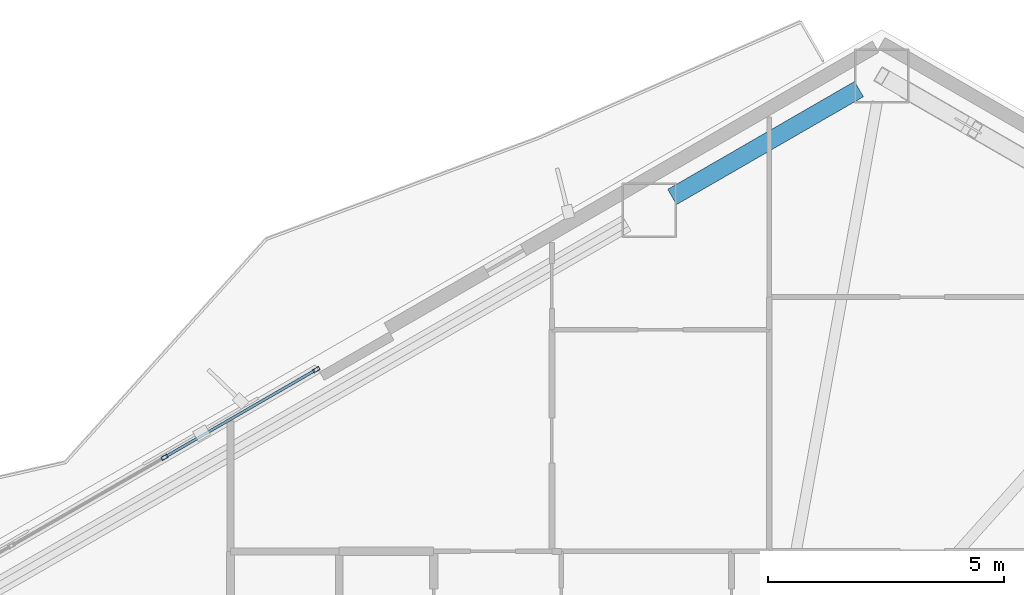
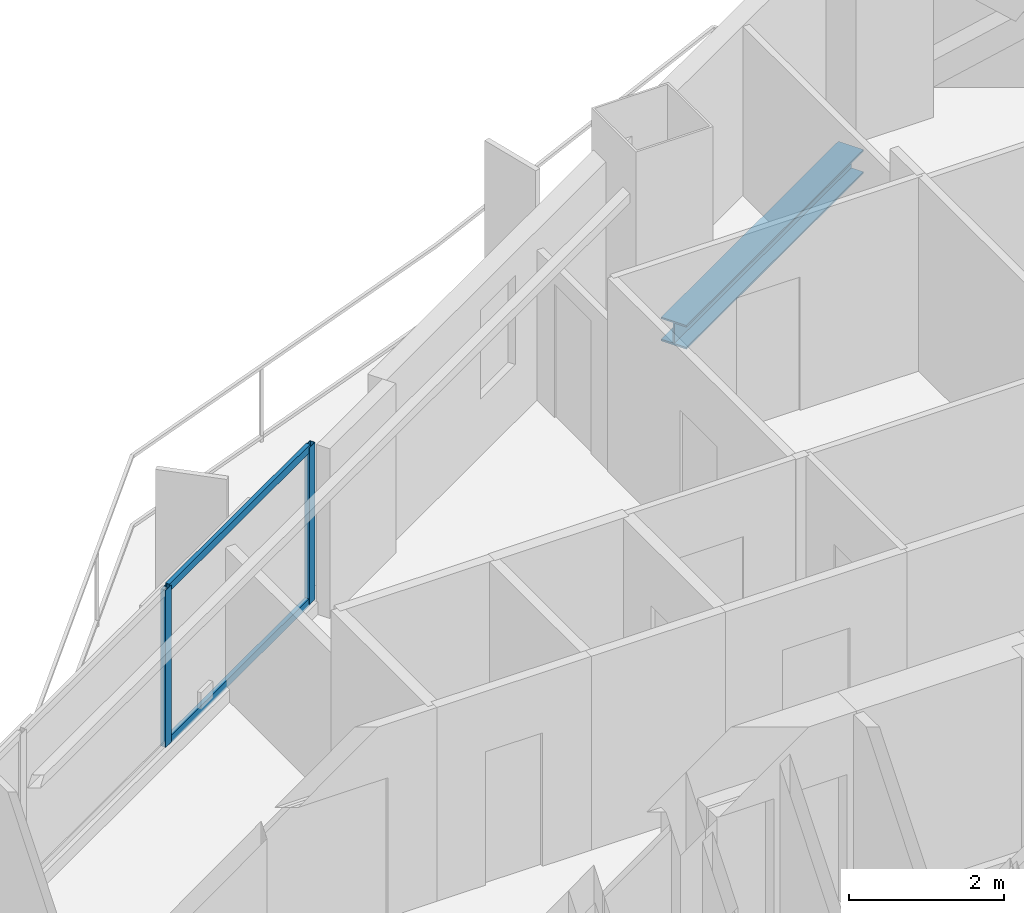
# One storey, part 13 of 23: 4 members, 1 beam, 1 element without a shape of its own.
"""IFC4 building model written with IfcOpenShell, lengths in metres."""

from ifc_helpers import new_model, si_unit, direction, frame, origin, origin_2d, place, context, subcontext, project, spatial, hollow_rectangle, i_section, extrude, material, layer, layer_set, material_profile, profile_set, type_object, element, aggregate, save


model = new_model("IFC4")

# Units and contexts
model_context = context("Model", 3, precision=1e-05, world=origin(), true_north=direction((0.0, 1.0)))
body_context = subcontext(model_context, "Body", "Model", "MODEL_VIEW")
ifc_project = project(units=[si_unit("LENGTHUNIT", "METRE"), si_unit("AREAUNIT", "SQUARE_METRE"), si_unit("VOLUMEUNIT", "CUBIC_METRE"), si_unit("PLANEANGLEUNIT", "RADIAN"), si_unit("MASSUNIT", "GRAM", prefix="KILO")], contexts=[model_context])

# Site, building, storey
site_placement = place(None, origin())
site = spatial("IfcSite", under=ifc_project, at=site_placement, CompositionType="ELEMENT")
building_placement = place(site_placement, origin())
building = spatial("IfcBuilding", under=site, at=building_placement, Name="Mersakhor Tower and Convention Hall", CompositionType="ELEMENT")
storey_placement = place(building_placement, frame((0.0, 0.0, 80.10009765625)))
storey = spatial("IfcBuildingStorey", under=building, at=storey_placement, Name="L21", CompositionType="ELEMENT", Elevation=80.10009765625)

# Beam
ifc_material_1 = material(Name="Steel S355", Category="steel")
ifc_material_profile_1 = material_profile(ifc_material_1, i_section(OverallWidth=0.374755859375, OverallDepth=0.37451171875, WebThickness=0.0166015625, FlangeThickness=0.027099609375, at=origin_2d()), Name="UC 356x368x202")
ifc_profile_set_1 = profile_set([ifc_material_profile_1], Name="Steel S355")
beam_type = type_object("IfcBeamType", Name="BM-SPD-UC356", PredefinedType="SPANDREL", material=ifc_profile_set_1)
beam_placement = place(storey_placement, frame((34.343505859375, 45.34814453125, -0.4375), z_axis=(0.866046694585, 0.499963121439, 0.0), x_axis=(-0.499963121439, 0.866046694585, 0.0)))
element("IfcBeam", 1, at=beam_placement, inside=storey, type_object=beam_type, Name="L21 Perimeter Spandrel Beam SPB-03", PredefinedType="SPANDREL", context=body_context, shape_type="SweptSolid", body=[
    extrude(i_section(OverallWidth=0.374755859375, OverallDepth=0.37451171875, WebThickness=0.0166015625, FlangeThickness=0.027099609375, at=origin_2d()), origin(), (0.0, 0.0, 1.0), 4.566162109375),
])

# Curtain wall, members
ifc_material_2 = material(Name="Dark solar low-E aluminium curtain wall", Category="aluminium")
ifc_layer = layer(ifc_material_2, 0.159912109375)
ifc_layer_set = layer_set([ifc_layer], Name="Dark solar low-E aluminium curtain wall")
curtain_wall_type = type_object("IfcCurtainWallType", Name="CW-SYS-01", PredefinedType="USERDEFINED", material=ifc_layer_set)
curtain_wall_placement = place(storey_placement, origin())
curtain_wall = element("IfcCurtainWall", 2, at=curtain_wall_placement, inside=storey, type_object=curtain_wall_type, Name="L21 Dark-Glass Curtain Wall F1-B2", ObjectType="CURTAIN WALL", PredefinedType="USERDEFINED")
ifc_material_3 = material(Name="Anodised aluminium EN AW-6063 T6", Category="aluminium")
ifc_material_profile_2 = material_profile(ifc_material_3, hollow_rectangle(XDim=0.074951171875, YDim=0.14990234375, WallThickness=0.00634765625, at=origin_2d()), Name="RHS 150x75x6.3")
ifc_profile_set_2 = profile_set([ifc_material_profile_2], Name="Anodised aluminium EN AW-6063 T6")
member_type_1 = type_object("IfcMemberType", Name="CWM-150x75", PredefinedType="MULLION", material=ifc_profile_set_2)
member_1_placement = place(storey_placement, frame((23.603515625, 39.840087890625, 0.199951171875), z_axis=(0.0, 0.0, 1.0), x_axis=(-0.499997904985, 0.866026613339, 0.0)))
member_1 = element("IfcMember", 3, at=member_1_placement, type_object=member_type_1, Name="CW-01 mullion 3", PredefinedType="MULLION", context=body_context, shape_type="SweptSolid", body=[
    extrude(hollow_rectangle(XDim=0.074951171875, YDim=0.14990234375, WallThickness=0.00634765625, at=origin_2d()), origin(), (0.0, 0.0, 1.0), 2.469970703125),
])
member_2_placement = place(storey_placement, frame((26.812744140625, 41.69287109375, 0.199951171875), z_axis=(0.0, 0.0, 1.0), x_axis=(-0.499997904985, 0.866026613339, 0.0)))
member_2 = element("IfcMember", 4, at=member_2_placement, type_object=member_type_1, Name="CW-01 mullion 4", PredefinedType="MULLION", context=body_context, shape_type="SweptSolid", body=[
    extrude(hollow_rectangle(XDim=0.074951171875, YDim=0.14990234375, WallThickness=0.00634765625, at=origin_2d()), origin(), (0.0, 0.0, 1.0), 2.469970703125),
])
ifc_material_4 = material(Name="Anodised aluminium EN AW-6063 T6", Category="aluminium")
ifc_material_profile_3 = material_profile(ifc_material_4, hollow_rectangle(XDim=0.06005859375, YDim=0.1201171875, WallThickness=0.0048828125, at=origin_2d()), Name="RHS 120x60x5")
ifc_profile_set_3 = profile_set([ifc_material_profile_3], Name="Anodised aluminium EN AW-6063 T6")
member_type_2 = type_object("IfcMemberType", Name="CWT-120x60", PredefinedType="USERDEFINED", material=ifc_profile_set_3)
member_3_placement = place(storey_placement, frame((23.635986328125, 39.85888671875, 0.22998046875), z_axis=(0.866016497289, 0.500015426185, 0.0), x_axis=(-0.500015426185, 0.866016497289, 0.0)))
member_3 = element("IfcMember", 5, at=member_3_placement, type_object=member_type_2, Name="CW-01 transom 3.1", ObjectType="TRANSOM", PredefinedType="USERDEFINED", context=body_context, shape_type="SweptSolid", body=[
    extrude(hollow_rectangle(XDim=0.06005859375, YDim=0.1201171875, WallThickness=0.0048828125, at=origin_2d()), origin(), (0.0, 0.0, 1.0), 3.630859375),
])
member_4_placement = place(storey_placement, frame((23.635986328125, 39.85888671875, 2.639892578125), z_axis=(0.866016497289, 0.500015426185, 0.0), x_axis=(-0.500015426185, 0.866016497289, 0.0)))
member_4 = element("IfcMember", 6, at=member_4_placement, type_object=member_type_2, Name="CW-01 transom 3.2", ObjectType="TRANSOM", PredefinedType="USERDEFINED", context=body_context, shape_type="SweptSolid", body=[
    extrude(hollow_rectangle(XDim=0.06005859375, YDim=0.1201171875, WallThickness=0.0048828125, at=origin_2d()), origin(), (0.0, 0.0, 1.0), 3.630859375),
])
aggregate(curtain_wall, [member_1, member_2, member_3, member_4])

save(model, "model.ifc")
